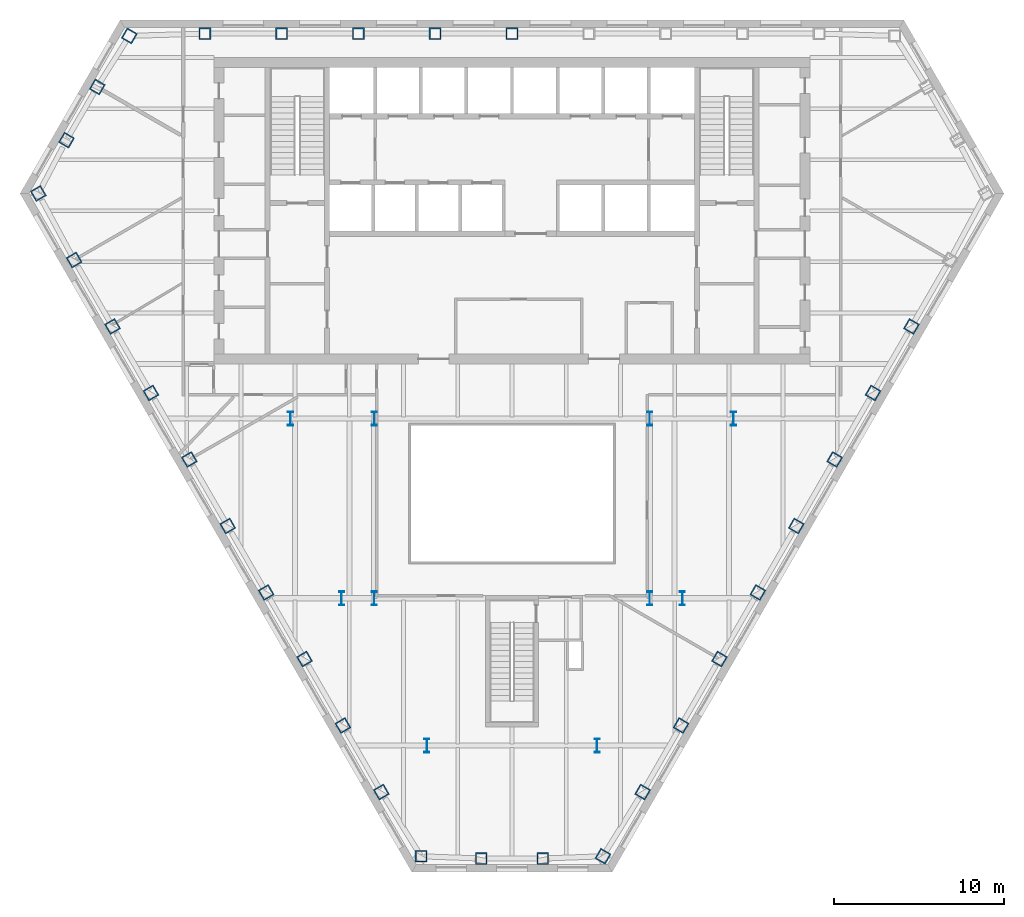
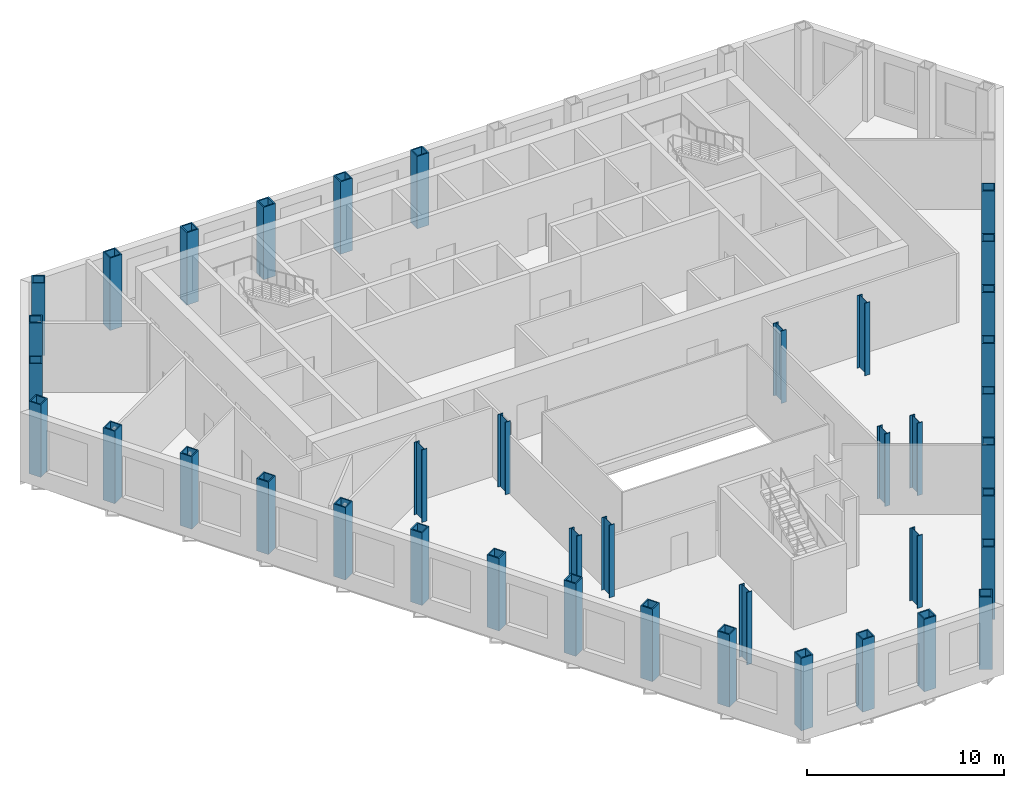
# One storey, part 1 of 11: 40 columns.
"""IFC4 building model written with IfcOpenShell, lengths in metres."""

from ifc_helpers import new_model, si_unit, direction, frame, origin, origin_2d, place, context, subcontext, project, spatial, hollow_rectangle, i_section, extrude, material, material_profile, profile_set, type_object, element, save


model = new_model("IFC4")

# Units and contexts
model_context = context("Model", 3, precision=1e-05, world=origin(), true_north=direction((0.0, 1.0)))
body_context = subcontext(model_context, "Body", "Model", "MODEL_VIEW")
ifc_project = project(units=[si_unit("LENGTHUNIT", "METRE"), si_unit("AREAUNIT", "SQUARE_METRE"), si_unit("VOLUMEUNIT", "CUBIC_METRE"), si_unit("PLANEANGLEUNIT", "RADIAN"), si_unit("MASSUNIT", "GRAM", prefix="KILO")], contexts=[model_context])

# Site, building, storey
site_placement = place(None, origin())
site = spatial("IfcSite", under=ifc_project, at=site_placement, CompositionType="ELEMENT")
building_placement = place(site_placement, origin())
building = spatial("IfcBuilding", under=site, at=building_placement, Name="Njiva Tower", CompositionType="ELEMENT")
storey_placement = place(building_placement, frame((0.0, 0.0, 33.3)))
storey = spatial("IfcBuildingStorey", under=building, at=storey_placement, Name="L06", CompositionType="ELEMENT", Elevation=33.3)

# Columns
ifc_material = material(Name="Steel S355 J2", Category="steel")
ifc_material_profile_1 = material_profile(ifc_material, hollow_rectangle(XDim=0.7, YDim=0.7, WallThickness=0.07, at=origin_2d()), Name="BOX 700x700x70")
ifc_profile_set_1 = profile_set([ifc_material_profile_1], Name="Steel S355 J2")
column_type_1 = type_object("IfcColumnType", Name="C5 Perimeter tube column BOX 700x700x70", PredefinedType="COLUMN", material=ifc_profile_set_1)
for number, where, z_axis, x_axis, name in (
    (1, (0.0, 19.4, 0.0), (0.0, 0.0, 1.0), (-1.0, 0.0, 0.0), "Perimeter tube column S02-C06"),
    (2, (-4.509, 19.4, 0.0), (0.0, 0.0, 1.0), (-1.0, 0.0, 0.0), "Perimeter tube column S02-C07"),
    (3, (-9.017, 19.4, 0.0), (0.0, 0.0, 1.0), (-1.0, 0.0, 0.0), "Perimeter tube column S02-C08"),
    (4, (-13.526, 19.4, 0.0), (0.0, 0.0, 1.0), (-1.0, 0.0, 0.0), "Perimeter tube column S02-C09"),
    (5, (-18.034, 19.4, 0.0), (0.0, 0.0, 1.0), (-1.0, 0.0, 0.0), "Perimeter tube column S02-C10"),
    (6, (-22.466, 19.267, 0.0), (0.0, 0.0, 1.0), (-0.5, -0.866025403784, 0.0), "Perimeter tube column S02-C11"),
    (7, (-24.349, 16.272, 0.0), (0.0, 0.0, 1.0), (-0.5, -0.866025403784, 0.0), "Perimeter tube column S02-C12"),
    (8, (-26.155, 13.144, 0.0), (0.0, 0.0, 1.0), (-0.5, -0.866025403784, 0.0), "Perimeter tube column S02-C13"),
    (9, (-27.808, 10.016, 0.0), (0.0, 0.0, 1.0), (0.5, -0.866025403784, 0.0), "Perimeter tube column S02-C14"),
    (10, (-25.707, 6.111, 0.0), (0.0, 0.0, 1.0), (0.5, -0.866025403784, 0.0), "Perimeter tube column S02-C15"),
    (11, (-23.453, 2.206, 0.0), (0.0, 0.0, 1.0), (0.5, -0.866025403784, 0.0), "Perimeter tube column S02-C16"),
    (12, (-21.198, -1.698, 0.0), (0.0, 0.0, 1.0), (0.5, -0.866025403784, 0.0), "Perimeter tube column S02-C17"),
    (13, (-18.944, -5.603, 0.0), (0.0, 0.0, 1.0), (0.5, -0.866025403784, 0.0), "Perimeter tube column S02-C18"),
    (14, (-16.69, -9.507, 0.0), (0.0, 0.0, 1.0), (0.5, -0.866025403784, 0.0), "Perimeter tube column S02-C19"),
    (15, (-14.435, -13.412, 0.0), (0.0, 0.0, 1.0), (0.5, -0.866025403784, 0.0), "Perimeter tube column S02-C20"),
    (16, (-12.181, -17.317, 0.0), (0.0, 0.0, 1.0), (0.5, -0.866025403784, 0.0), "Perimeter tube column S02-C21"),
    (17, (-9.927, -21.221, 0.0), (0.0, 0.0, 1.0), (0.5, -0.866025403784, 0.0), "Perimeter tube column S02-C22"),
    (18, (-7.672, -25.126, 0.0), (0.0, 0.0, 1.0), (0.5, -0.866025403784, 0.0), "Perimeter tube column S02-C23"),
    (19, (-5.341, -28.897, 0.0), (0.0, 0.0, 1.0), (1.0, 0.0, 0.0), "Perimeter tube column S02-C24"),
    (20, (-1.806, -29.03, 0.0), (0.0, 0.0, 1.0), (1.0, 0.0, 0.0), "Perimeter tube column S02-C25"),
    (21, (1.806, -29.03, 0.0), (0.0, 0.0, 1.0), (1.0, 0.0, 0.0), "Perimeter tube column S02-C26"),
    (22, (5.341, -28.897, 0.0), (0.0, 0.0, 1.0), (0.5, 0.866025403784, 0.0), "Perimeter tube column S02-C27"),
    (23, (7.672, -25.126, 0.0), (0.0, 0.0, 1.0), (0.5, 0.866025403784, 0.0), "Perimeter tube column S02-C28"),
    (24, (9.927, -21.221, 0.0), (0.0, 0.0, 1.0), (0.5, 0.866025403784, 0.0), "Perimeter tube column S02-C29"),
    (25, (12.181, -17.317, 0.0), (0.0, 0.0, 1.0), (0.5, 0.866025403784, 0.0), "Perimeter tube column S02-C30"),
    (26, (14.435, -13.412, 0.0), (0.0, 0.0, 1.0), (0.5, 0.866025403784, 0.0), "Perimeter tube column S02-C31"),
    (27, (16.69, -9.507, 0.0), (0.0, 0.0, 1.0), (0.5, 0.866025403784, 0.0), "Perimeter tube column S02-C32"),
    (28, (18.944, -5.603, 0.0), (0.0, 0.0, 1.0), (0.5, 0.866025403784, 0.0), "Perimeter tube column S02-C33"),
    (29, (21.198, -1.698, 0.0), (0.0, 0.0, 1.0), (0.5, 0.866025403784, 0.0), "Perimeter tube column S02-C34"),
    (30, (23.453, 2.206, 0.0), (0.0, 0.0, 1.0), (0.5, 0.866025403784, 0.0), "Perimeter tube column S02-C35"),
):
    element("IfcColumn", number, at=place(storey_placement, frame(where, z_axis=z_axis, x_axis=x_axis)), inside=storey, type_object=column_type_1, Name=name, PredefinedType="COLUMN", context=body_context, shape_type="SweptSolid", body=[
        extrude(hollow_rectangle(XDim=0.7, YDim=0.7, WallThickness=0.07, at=origin_2d()), origin(), (0.0, 0.0, 1.0), 4.5),
    ])
ifc_material_profile_2 = material_profile(ifc_material, i_section(OverallWidth=0.303, OverallDepth=0.814, WebThickness=0.021, FlangeThickness=0.04, at=origin_2d()), Name="HEM 800")
ifc_profile_set_2 = profile_set([ifc_material_profile_2], Name="Steel S355 J2")
column_type_2 = type_object("IfcColumnType", Name="C6 Interior column HEM 800", PredefinedType="COLUMN", material=ifc_profile_set_2)
for number, where, z_axis, x_axis, name in (
    (31, (8.09, -3.2, 0.0), (0.0, 0.0, 1.0), (1.0, 0.0, 0.0), "Interior column S02-C40"),
    (32, (-8.09, -3.2, 0.0), (0.0, 0.0, 1.0), (1.0, 0.0, 0.0), "Interior column S02-C41"),
    (33, (8.09, -13.75, 0.0), (0.0, 0.0, 1.0), (1.0, 0.0, 0.0), "Interior column S02-C42"),
    (34, (-8.09, -13.75, 0.0), (0.0, 0.0, 1.0), (1.0, 0.0, 0.0), "Interior column S02-C43"),
    (35, (5.0, -22.4, 0.0), (0.0, 0.0, 1.0), (1.0, 0.0, 0.0), "Interior column S02-C44"),
    (36, (-5.0, -22.4, 0.0), (0.0, 0.0, 1.0), (1.0, 0.0, 0.0), "Interior column S02-C45"),
    (37, (13.0, -3.2, 0.0), (0.0, 0.0, 1.0), (1.0, 0.0, 0.0), "Interior column S02-C46"),
    (38, (-13.0, -3.2, 0.0), (0.0, 0.0, 1.0), (1.0, 0.0, 0.0), "Interior column S02-C47"),
    (39, (10.0, -13.75, 0.0), (0.0, 0.0, 1.0), (1.0, 0.0, 0.0), "Interior column S02-C48"),
    (40, (-10.0, -13.75, 0.0), (0.0, 0.0, 1.0), (1.0, 0.0, 0.0), "Interior column S02-C49"),
):
    element("IfcColumn", number, at=place(storey_placement, frame(where, z_axis=z_axis, x_axis=x_axis)), inside=storey, type_object=column_type_2, Name=name, PredefinedType="COLUMN", context=body_context, shape_type="SweptSolid", body=[
        extrude(i_section(OverallWidth=0.303, OverallDepth=0.814, WebThickness=0.021, FlangeThickness=0.04, at=origin_2d()), origin(), (0.0, 0.0, 1.0), 4.5),
    ])

save(model, "model.ifc")
